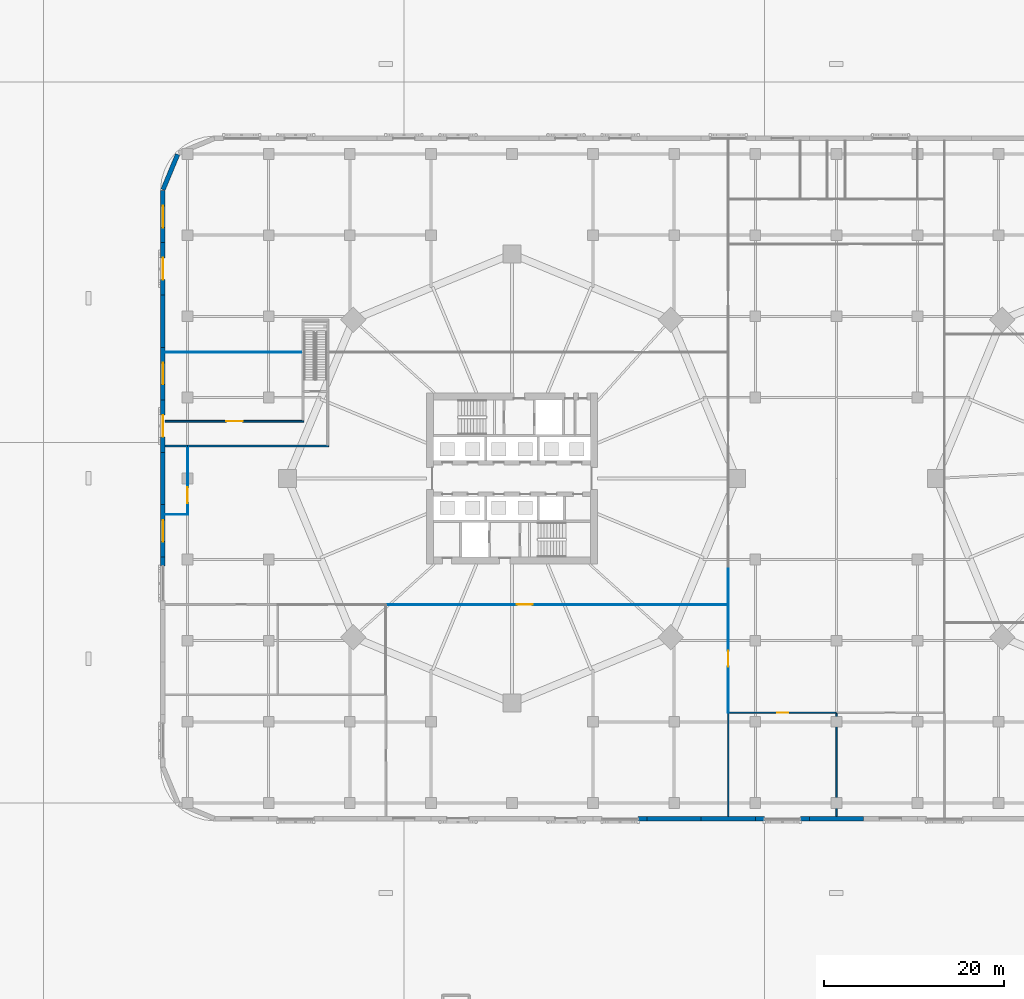
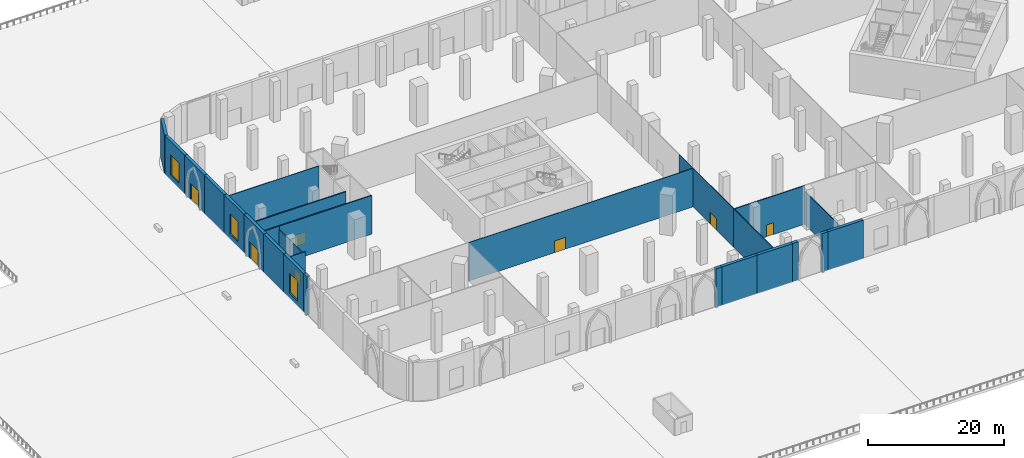
# One storey, part 23 of 48: 27 walls, 7 doors, 3 windows, 10 openings.
"""IFC4 building model written with IfcOpenShell, lengths in metres."""

from ifc_helpers import new_model, si_unit, direction, frame, frame_2d, origin, place, context, subcontext, project, spatial, rectangle, extrude, material, layer, layer_set, type_object, element, fill, save


model = new_model("IFC4")

# Units and contexts
model_context = context("Model", 3, precision=1e-05, world=origin(), true_north=direction((0.0, 1.0)))
body_context = subcontext(model_context, "Body", "Model", "MODEL_VIEW")
ifc_project = project(units=[si_unit("LENGTHUNIT", "METRE"), si_unit("AREAUNIT", "SQUARE_METRE"), si_unit("VOLUMEUNIT", "CUBIC_METRE"), si_unit("PLANEANGLEUNIT", "RADIAN"), si_unit("MASSUNIT", "GRAM", prefix="KILO")], contexts=[model_context])

# Site, building, storey
site_placement = place(None, origin())
site = spatial("IfcSite", under=ifc_project, at=site_placement, CompositionType="ELEMENT")
building_placement = place(site_placement, origin())
building = spatial("IfcBuilding", under=site, at=building_placement, Name="Ogive Gate Towers", CompositionType="ELEMENT")
storey_placement = place(building_placement, origin())
storey = spatial("IfcBuildingStorey", under=building, at=storey_placement, Name="L00", CompositionType="ELEMENT", Elevation=0.0)

# Wall
ifc_material_1 = material(Name="Precast concrete C40/50", Category="concrete")
ifc_layer_1 = layer(ifc_material_1, 0.5)
ifc_layer_set_1 = layer_set([ifc_layer_1], Name="Arcade wall 500")
wall_type_1 = type_object("IfcWallType", Name="Arcade wall 500", PredefinedType="SOLIDWALL", material=ifc_layer_set_1)
wall_1_placement = place(storey_placement, frame((-73.10546875, 35.97021484375, 0.0), z_axis=(0.0, 0.0, 1.0), x_axis=(-0.382680056994, -0.923880930628, 0.0)))
element("IfcWall", 1, at=wall_1_placement, inside=storey, type_object=wall_type_1, Name="Podium wall", PredefinedType="SOLIDWALL", context=body_context, shape_type="SweptSolid", body=[
    extrude(rectangle(XDim=4.24755859375, YDim=0.5, at=frame_2d((2.123779296875, 0.0))), origin(), (0.0, 0.0, 1.0), 6.89990234375),
])

# Wall, opening, window
wall_2_placement = place(storey_placement, frame((-74.75, 31.9501953125, 0.0), z_axis=(0.0, 0.0, 1.0), x_axis=(0.0, -1.0, 0.0)))
wall_2 = element("IfcWall", 2, at=wall_2_placement, inside=storey, type_object=wall_type_1, Name="Podium wall", PredefinedType="SOLIDWALL", context=body_context, shape_type="SweptSolid", body=[
    extrude(rectangle(XDim=5.768310546875, YDim=0.5, at=frame_2d((2.88427734375, 0.0))), origin(), (0.0, 0.0, 1.0), 6.89990234375),
])
opening_1_placement = place(wall_2_placement, frame((1.708984375, 0.0, 0.89990234375)))
opening_1 = element("IfcOpeningElement", 3, at=opening_1_placement, cuts=wall_2, Name="Opening WN4", PredefinedType="OPENING", context=body_context, shape_type="SweptSolid", body=[
    extrude(rectangle(XDim=2.39990234375, YDim=3.60009765625, at=frame_2d((1.199951171875, 1.800048828125))), frame((0.0, 0.260009765625, 0.0), z_axis=(0.0, -1.0, 0.0), x_axis=(1.0, 0.0, 0.0)), (0.0, 0.0, 1.0), 0.52001953125),
])
ifc_material_2 = material(Name="Clear glass", Category="glass")
window_type = type_object("IfcWindowType", Name="Arcade window 2400 x 3600", PartitioningType="SINGLE_PANEL", PredefinedType="WINDOW", material=ifc_material_2)
window_1_placement = place(opening_1_placement, origin())
window_1 = element("IfcWindow", 4, at=window_1_placement, inside=storey, type_object=window_type, Name="Podium window", OverallHeight=3.60009765625, OverallWidth=2.39990234375, PartitioningType="SINGLE_PANEL", PredefinedType="WINDOW", context=body_context, shape_type="SweptSolid", body=[
    extrude(rectangle(XDim=2.39990234375, YDim=3.60009765625, at=frame_2d((1.199951171875, 1.800048828125))), frame((0.0, 0.030029296875, 0.0), z_axis=(0.0, -1.0, 0.0), x_axis=(1.0, 0.0, 0.0)), (0.0, 0.0, 1.0), 0.06005859375),
])
fill(opening_1, window_1)

# Wall, opening, door
wall_3_placement = place(storey_placement, frame((-74.75, 26.181884765625, 0.0), z_axis=(0.0, 0.0, 1.0), x_axis=(0.0, -1.0, 0.0)))
wall_3 = element("IfcWall", 5, at=wall_3_placement, inside=storey, type_object=wall_type_1, Name="Podium wall", PredefinedType="SOLIDWALL", context=body_context, shape_type="SweptSolid", body=[
    extrude(rectangle(XDim=5.818359375, YDim=0.5, at=frame_2d((2.9091796875, 0.0))), origin(), (0.0, 0.0, 1.0), 6.89990234375),
])
opening_2_placement = place(wall_3_placement, frame((1.708984375, 0.0, 0.0)))
opening_2 = element("IfcOpeningElement", 6, at=opening_2_placement, cuts=wall_3, Name="Opening ED2-L00-12", PredefinedType="OPENING", context=body_context, shape_type="SweptSolid", body=[
    extrude(rectangle(XDim=2.39990234375, YDim=3.0, at=frame_2d((1.199951171875, 1.5))), frame((0.0, 0.260009765625, 0.0), z_axis=(0.0, -1.0, 0.0), x_axis=(1.0, 0.0, 0.0)), (0.0, 0.0, 1.0), 0.52001953125),
])
ifc_material_3 = material(Name="Pale metal aluminium", Category="aluminium")
door_type_1 = type_object("IfcDoorType", Name="Entrance door 2400 x 3000", OperationType="DOUBLE_DOOR_SINGLE_SWING", PredefinedType="DOOR", material=ifc_material_3)
door_1_placement = place(opening_2_placement, origin())
door_1 = element("IfcDoor", 7, at=door_1_placement, inside=storey, type_object=door_type_1, Name="Exterior door", OperationType="SINGLE_SWING_LEFT", OverallHeight=3.0, OverallWidth=2.39990234375, PredefinedType="DOOR", context=body_context, shape_type="SweptSolid", body=[
    extrude(rectangle(XDim=2.39990234375, YDim=3.0, at=frame_2d((1.199951171875, 1.5))), frame((0.0, 0.02490234375, 0.0), z_axis=(0.0, -1.0, 0.0), x_axis=(1.0, 0.0, 0.0)), (0.0, 0.0, 1.0), 0.050048828125),
])
fill(opening_2, door_1)

# Wall
wall_4_placement = place(storey_placement, frame((-74.75, 20.363525390625, 0.0), z_axis=(0.0, 0.0, 1.0), x_axis=(0.0, -1.0, 0.0)))
element("IfcWall", 8, at=wall_4_placement, inside=storey, type_object=wall_type_1, Name="Podium wall", PredefinedType="SOLIDWALL", context=body_context, shape_type="SweptSolid", body=[
    extrude(rectangle(XDim=5.818115234375, YDim=0.5, at=frame_2d((2.9091796875, 0.0))), origin(), (0.0, 0.0, 1.0), 6.89990234375),
])

# Wall, opening, window
wall_5_placement = place(storey_placement, frame((-74.75, 14.54541015625, 0.0), z_axis=(0.0, 0.0, 1.0), x_axis=(0.0, -1.0, 0.0)))
wall_5 = element("IfcWall", 9, at=wall_5_placement, inside=storey, type_object=wall_type_1, Name="Podium wall", PredefinedType="SOLIDWALL", context=body_context, shape_type="SweptSolid", body=[
    extrude(rectangle(XDim=5.818115234375, YDim=0.5, at=frame_2d((2.9091796875, 0.0))), origin(), (0.0, 0.0, 1.0), 6.89990234375),
])
opening_3_placement = place(wall_5_placement, frame((1.708984375, 0.0, 0.89990234375)))
opening_3 = element("IfcOpeningElement", 10, at=opening_3_placement, cuts=wall_5, Name="Opening WN4", PredefinedType="OPENING", context=body_context, shape_type="SweptSolid", body=[
    extrude(rectangle(XDim=2.39990234375, YDim=3.60009765625, at=frame_2d((1.199951171875, 1.800048828125))), frame((0.0, 0.260009765625, 0.0), z_axis=(0.0, -1.0, 0.0), x_axis=(1.0, 0.0, 0.0)), (0.0, 0.0, 1.0), 0.52001953125),
])
window_2_placement = place(opening_3_placement, origin())
window_2 = element("IfcWindow", 11, at=window_2_placement, inside=storey, type_object=window_type, Name="Podium window", OverallHeight=3.60009765625, OverallWidth=2.39990234375, PartitioningType="SINGLE_PANEL", PredefinedType="WINDOW", context=body_context, shape_type="SweptSolid", body=[
    extrude(rectangle(XDim=2.39990234375, YDim=3.60009765625, at=frame_2d((1.199951171875, 1.800048828125))), frame((0.0, 0.030029296875, 0.0), z_axis=(0.0, -1.0, 0.0), x_axis=(1.0, 0.0, 0.0)), (0.0, 0.0, 1.0), 0.06005859375),
])
fill(opening_3, window_2)

# Wall, opening, door
wall_6_placement = place(storey_placement, frame((-74.75, 8.727294921875, 0.0), z_axis=(0.0, 0.0, 1.0), x_axis=(0.0, -1.0, 0.0)))
wall_6 = element("IfcWall", 12, at=wall_6_placement, inside=storey, type_object=wall_type_1, Name="Podium wall", PredefinedType="SOLIDWALL", context=body_context, shape_type="SweptSolid", body=[
    extrude(rectangle(XDim=5.818115234375, YDim=0.5, at=frame_2d((2.9091796875, 0.0))), origin(), (0.0, 0.0, 1.0), 6.89990234375),
])
opening_4_placement = place(wall_6_placement, frame((1.708984375, 0.0, 0.0)))
opening_4 = element("IfcOpeningElement", 13, at=opening_4_placement, cuts=wall_6, Name="Opening ED2-L00-13", PredefinedType="OPENING", context=body_context, shape_type="SweptSolid", body=[
    extrude(rectangle(XDim=2.39990234375, YDim=3.0, at=frame_2d((1.199951171875, 1.5))), frame((0.0, 0.260009765625, 0.0), z_axis=(0.0, -1.0, 0.0), x_axis=(1.0, 0.0, 0.0)), (0.0, 0.0, 1.0), 0.52001953125),
])
door_2_placement = place(opening_4_placement, origin())
door_2 = element("IfcDoor", 14, at=door_2_placement, inside=storey, type_object=door_type_1, Name="Exterior door", OperationType="SINGLE_SWING_LEFT", OverallHeight=3.0, OverallWidth=2.39990234375, PredefinedType="DOOR", context=body_context, shape_type="SweptSolid", body=[
    extrude(rectangle(XDim=2.39990234375, YDim=3.0, at=frame_2d((1.199951171875, 1.5))), frame((0.0, 0.02490234375, 0.0), z_axis=(0.0, -1.0, 0.0), x_axis=(1.0, 0.0, 0.0)), (0.0, 0.0, 1.0), 0.050048828125),
])
fill(opening_4, door_2)

# Wall
wall_7_placement = place(storey_placement, frame((-74.75, 2.9091796875, 0.0), z_axis=(0.0, 0.0, 1.0), x_axis=(0.0, -1.0, 0.0)))
element("IfcWall", 15, at=wall_7_placement, inside=storey, type_object=wall_type_1, Name="Podium wall", PredefinedType="SOLIDWALL", context=body_context, shape_type="SweptSolid", body=[
    extrude(rectangle(XDim=5.818359375, YDim=0.5, at=frame_2d((2.9091796875, 0.0))), origin(), (0.0, 0.0, 1.0), 6.89990234375),
])

# Wall, opening, window
wall_8_placement = place(storey_placement, frame((-74.75, -2.9091796875, 0.0), z_axis=(0.0, 0.0, 1.0), x_axis=(0.0, -1.0, 0.0)))
wall_8 = element("IfcWall", 16, at=wall_8_placement, inside=storey, type_object=wall_type_1, Name="Podium wall", PredefinedType="SOLIDWALL", context=body_context, shape_type="SweptSolid", body=[
    extrude(rectangle(XDim=5.818115234375, YDim=0.5, at=frame_2d((2.9091796875, 0.0))), origin(), (0.0, 0.0, 1.0), 6.89990234375),
])
opening_5_placement = place(wall_8_placement, frame((1.708984375, 0.0, 0.89990234375)))
opening_5 = element("IfcOpeningElement", 17, at=opening_5_placement, cuts=wall_8, Name="Opening WN4", PredefinedType="OPENING", context=body_context, shape_type="SweptSolid", body=[
    extrude(rectangle(XDim=2.39990234375, YDim=3.60009765625, at=frame_2d((1.199951171875, 1.800048828125))), frame((0.0, 0.260009765625, 0.0), z_axis=(0.0, -1.0, 0.0), x_axis=(1.0, 0.0, 0.0)), (0.0, 0.0, 1.0), 0.52001953125),
])
window_3_placement = place(opening_5_placement, origin())
window_3 = element("IfcWindow", 18, at=window_3_placement, inside=storey, type_object=window_type, Name="Podium window", OverallHeight=3.60009765625, OverallWidth=2.39990234375, PartitioningType="SINGLE_PANEL", PredefinedType="WINDOW", context=body_context, shape_type="SweptSolid", body=[
    extrude(rectangle(XDim=2.39990234375, YDim=3.60009765625, at=frame_2d((1.199951171875, 1.800048828125))), frame((0.0, 0.030029296875, 0.0), z_axis=(0.0, -1.0, 0.0), x_axis=(1.0, 0.0, 0.0)), (0.0, 0.0, 1.0), 0.06005859375),
])
fill(opening_5, window_3)

# Walls
for number, where, z_axis, x_axis, name in (
    (19, (-74.75, -8.727294921875, 0.0), (0.0, 0.0, 1.0), (0.0, -1.0, 0.0), "Podium wall"),
    (20, (-22.0, -37.75, 0.0), (0.0, 0.0, 1.0), (1.0, 0.0, 0.0), "Podium wall"),
):
    element("IfcWall", number, at=place(storey_placement, frame(where, z_axis=z_axis, x_axis=x_axis)), inside=storey, type_object=wall_type_1, Name=name, PredefinedType="SOLIDWALL", context=body_context, shape_type="SweptSolid", body=[
        extrude(rectangle(XDim=1.0, YDim=0.5, at=frame_2d((0.5, 0.0))), origin(), (0.0, 0.0, 1.0), 6.89990234375),
    ])
for number, where, z_axis, x_axis, name in (
    (21, (-21.0, -37.75, 0.0), (0.0, 0.0, 1.0), (1.0, 0.0, 0.0), "Podium wall"),
    (22, (-15.0, -37.75, 0.0), (0.0, 0.0, 1.0), (1.0, 0.0, 0.0), "Podium wall"),
):
    element("IfcWall", number, at=place(storey_placement, frame(where, z_axis=z_axis, x_axis=x_axis)), inside=storey, type_object=wall_type_1, Name=name, PredefinedType="SOLIDWALL", context=body_context, shape_type="SweptSolid", body=[
        extrude(rectangle(XDim=6.0, YDim=0.5, at=frame_2d((3.0, 0.0))), origin(), (0.0, 0.0, 1.0), 6.89990234375),
    ])
for number, where, z_axis, x_axis, name in (
    (23, (-9.0, -37.75, 0.0), (0.0, 0.0, 1.0), (1.0, 0.0, 0.0), "Podium wall"),
    (24, (-4.0, -37.75, 0.0), (0.0, 0.0, 1.0), (1.0, 0.0, 0.0), "Podium wall"),
):
    element("IfcWall", number, at=place(storey_placement, frame(where, z_axis=z_axis, x_axis=x_axis)), inside=storey, type_object=wall_type_1, Name=name, PredefinedType="SOLIDWALL", context=body_context, shape_type="SweptSolid", body=[
        extrude(rectangle(XDim=1.0, YDim=0.5, at=frame_2d((0.5, 0.0))), origin(), (0.0, 0.0, 1.0), 6.89990234375),
    ])
wall_9_placement = place(storey_placement, frame((-3.0, -37.75, 0.0), z_axis=(0.0, 0.0, 1.0), x_axis=(1.0, 0.0, 0.0)))
element("IfcWall", 25, at=wall_9_placement, inside=storey, type_object=wall_type_1, Name="Podium wall", PredefinedType="SOLIDWALL", context=body_context, shape_type="SweptSolid", body=[
    extrude(rectangle(XDim=6.0, YDim=0.5, at=frame_2d((3.0, 0.0))), origin(), (0.0, 0.0, 1.0), 6.89990234375),
])

# Wall, opening, door
ifc_material_4 = material(Name="Gypsum board partition")
ifc_layer_2 = layer(ifc_material_4, 0.10009765625)
ifc_layer_set_2 = layer_set([ifc_layer_2], Name="Partition wall 100")
wall_type_2 = type_object("IfcWallType", Name="Partition wall 100", PredefinedType="PARTITIONING", material=ifc_layer_set_2)
wall_10_placement = place(storey_placement, frame((-12.0, -26.0, 0.0), z_axis=(0.0, 0.0, 1.0), x_axis=(0.0, 1.0, 0.0)))
wall_10 = element("IfcWall", 26, at=wall_10_placement, inside=storey, type_object=wall_type_2, Name="L00 partition 028", PredefinedType="PARTITIONING", context=body_context, shape_type="SweptSolid", body=[
    extrude(rectangle(XDim=12.0, YDim=0.10009765625, at=frame_2d((6.0, 0.0))), origin(), (0.0, 0.0, 1.0), 6.89990234375),
])
opening_6_placement = place(wall_10_placement, frame((5.10009765625, 0.0, 0.0)))
opening_6 = element("IfcOpeningElement", 27, at=opening_6_placement, cuts=wall_10, Name="Opening PO107", PredefinedType="OPENING", context=body_context, shape_type="SweptSolid", body=[
    extrude(rectangle(XDim=1.800048828125, YDim=2.10009765625, at=frame_2d((0.89990234375, 1.050048828125))), frame((0.0, 0.06005859375, 0.0), z_axis=(0.0, -1.0, 0.0), x_axis=(1.0, 0.0, 0.0)), (0.0, 0.0, 1.0), 0.1201171875),
])
ifc_material_5 = material(Name="Timber door", Category="wood")
door_type_2 = type_object("IfcDoorType", Name="Double door 1800 x 2100", OperationType="NOTDEFINED", PredefinedType="DOOR", material=ifc_material_5)
door_3_placement = place(opening_6_placement, origin())
door_3 = element("IfcDoor", 28, at=door_3_placement, inside=storey, type_object=door_type_2, Name="Door PO107", OperationType="DOUBLE_DOOR_DOUBLE_SWING", OverallHeight=2.10009765625, OverallWidth=1.800048828125, PredefinedType="DOOR", context=body_context, shape_type="SweptSolid", body=[
    extrude(rectangle(XDim=1.800048828125, YDim=2.10009765625, at=frame_2d((0.89990234375, 1.050048828125))), frame((0.0, 0.02490234375, 0.0), z_axis=(0.0, -1.0, 0.0), x_axis=(1.0, 0.0, 0.0)), (0.0, 0.0, 1.0), 0.050048828125),
])
fill(opening_6, door_3)

# Walls
wall_11_placement = place(storey_placement, frame((-12.0, -14.0, 0.0), z_axis=(0.0, 0.0, 1.0), x_axis=(0.0, 1.0, 0.0)))
element("IfcWall", 29, at=wall_11_placement, inside=storey, type_object=wall_type_2, Name="L00 partition 029", PredefinedType="PARTITIONING", context=body_context, shape_type="SweptSolid", body=[
    extrude(rectangle(XDim=4.0, YDim=0.10009765625, at=frame_2d((2.0, 0.0))), origin(), (0.0, 0.0, 1.0), 6.89990234375),
])
wall_12_placement = place(storey_placement, frame((-74.5, -4.0, 0.0), z_axis=(0.0, 0.0, 1.0), x_axis=(1.0, 0.0, 0.0)))
element("IfcWall", 30, at=wall_12_placement, inside=storey, type_object=wall_type_2, Name="L00 partition 036", PredefinedType="PARTITIONING", context=body_context, shape_type="SweptSolid", body=[
    extrude(rectangle(XDim=2.550048828125, YDim=0.10009765625, at=frame_2d((1.27490234375, 0.0))), origin(), (0.0, 0.0, 1.0), 6.89990234375),
])

# Wall, opening, door
wall_13_placement = place(storey_placement, frame((-72.0, -3.949951171875, 0.0), z_axis=(0.0, 0.0, 1.0), x_axis=(0.0, 1.0, 0.0)))
wall_13 = element("IfcWall", 31, at=wall_13_placement, inside=storey, type_object=wall_type_2, Name="L00 partition 037", PredefinedType="PARTITIONING", context=body_context, shape_type="SweptSolid", body=[
    extrude(rectangle(XDim=7.449951171875, YDim=0.10009765625, at=frame_2d((3.72509765625, 0.0))), origin(), (0.0, 0.0, 1.0), 6.300048828125),
])
opening_7_placement = place(wall_13_placement, frame((1.18359375, 0.0, 0.0)))
opening_7 = element("IfcOpeningElement", 32, at=opening_7_placement, cuts=wall_13, Name="Opening PO103", PredefinedType="OPENING", context=body_context, shape_type="SweptSolid", body=[
    extrude(rectangle(XDim=1.800048828125, YDim=2.10009765625, at=frame_2d((0.89990234375, 1.050048828125))), frame((0.0, 0.06005859375, 0.0), z_axis=(0.0, -1.0, 0.0), x_axis=(1.0, 0.0, 0.0)), (0.0, 0.0, 1.0), 0.1201171875),
])
door_4_placement = place(opening_7_placement, origin())
door_4 = element("IfcDoor", 33, at=door_4_placement, inside=storey, type_object=door_type_2, Name="Door PO103", OperationType="DOUBLE_DOOR_DOUBLE_SWING", OverallHeight=2.10009765625, OverallWidth=1.800048828125, PredefinedType="DOOR", context=body_context, shape_type="SweptSolid", body=[
    extrude(rectangle(XDim=1.800048828125, YDim=2.10009765625, at=frame_2d((0.89990234375, 1.050048828125))), frame((0.0, 0.02490234375, 0.0), z_axis=(0.0, -1.0, 0.0), x_axis=(1.0, 0.0, 0.0)), (0.0, 0.0, 1.0), 0.050048828125),
])
fill(opening_7, door_4)

wall_14_placement = place(storey_placement, frame((-50.0, -14.0, 0.0), z_axis=(0.0, 0.0, 1.0), x_axis=(1.0, 0.0, 0.0)))
wall_14 = element("IfcWall", 34, at=wall_14_placement, inside=storey, type_object=wall_type_2, Name="L00 partition 045", PredefinedType="PARTITIONING", context=body_context, shape_type="SweptSolid", body=[
    extrude(rectangle(XDim=37.949951171875, YDim=0.10009765625, at=frame_2d((18.97509765625, 0.0))), origin(), (0.0, 0.0, 1.0), 6.89990234375),
])
opening_8_placement = place(wall_14_placement, frame((14.52001953125, 0.0, 0.0)))
opening_8 = element("IfcOpeningElement", 35, at=opening_8_placement, cuts=wall_14, Name="Opening PO108", PredefinedType="OPENING", context=body_context, shape_type="SweptSolid", body=[
    extrude(rectangle(XDim=1.800048828125, YDim=2.10009765625, at=frame_2d((0.89990234375, 1.050048828125))), frame((0.0, 0.06005859375, 0.0), z_axis=(0.0, -1.0, 0.0), x_axis=(1.0, 0.0, 0.0)), (0.0, 0.0, 1.0), 0.1201171875),
])
door_5_placement = place(opening_8_placement, origin())
door_5 = element("IfcDoor", 36, at=door_5_placement, inside=storey, type_object=door_type_2, Name="Door PO108", OperationType="DOUBLE_DOOR_DOUBLE_SWING", OverallHeight=2.10009765625, OverallWidth=1.800048828125, PredefinedType="DOOR", context=body_context, shape_type="SweptSolid", body=[
    extrude(rectangle(XDim=1.800048828125, YDim=2.10009765625, at=frame_2d((0.89990234375, 1.050048828125))), frame((0.0, 0.02490234375, 0.0), z_axis=(0.0, -1.0, 0.0), x_axis=(1.0, 0.0, 0.0)), (0.0, 0.0, 1.0), 0.050048828125),
])
fill(opening_8, door_5)

# Wall
wall_15_placement = place(storey_placement, frame((-74.5, 14.0, 0.0), z_axis=(0.0, 0.0, 1.0), x_axis=(1.0, 0.0, 0.0)))
element("IfcWall", 37, at=wall_15_placement, inside=storey, type_object=wall_type_2, Name="L00 partition 050", PredefinedType="PARTITIONING", context=body_context, shape_type="SweptSolid", body=[
    extrude(rectangle(XDim=15.199951171875, YDim=0.10009765625, at=frame_2d((7.60009765625, 0.0))), origin(), (0.0, 0.0, 1.0), 6.89990234375),
])

# Wall, opening, door
ifc_material_6 = material(Name="Fire-rated gypsum board partition")
ifc_layer_3 = layer(ifc_material_6, 0.14990234375)
ifc_layer_set_3 = layer_set([ifc_layer_3], Name="Partition wall 150")
wall_type_3 = type_object("IfcWallType", Name="Partition wall 150", PredefinedType="PARTITIONING", material=ifc_layer_set_3)
wall_16_placement = place(storey_placement, frame((-11.925048828125, -26.0, 0.0), z_axis=(0.0, 0.0, 1.0), x_axis=(1.0, 0.0, 0.0)))
wall_16 = element("IfcWall", 38, at=wall_16_placement, inside=storey, type_object=wall_type_3, Name="L00 partition 032", PredefinedType="PARTITIONING", context=body_context, shape_type="SweptSolid", body=[
    extrude(rectangle(XDim=11.925048828125, YDim=0.14990234375, at=frame_2d((5.96240234375, 0.0))), origin(), (0.0, 0.0, 1.0), 6.89990234375),
])
opening_9_placement = place(wall_16_placement, frame((5.362548828125, 0.0, 0.0)))
opening_9 = element("IfcOpeningElement", 39, at=opening_9_placement, cuts=wall_16, Name="Opening PO128", PredefinedType="OPENING", context=body_context, shape_type="SweptSolid", body=[
    extrude(rectangle(XDim=1.199951171875, YDim=2.10009765625, at=frame_2d((0.60009765625, 1.050048828125))), frame((0.0, 0.0849609375, 0.0), z_axis=(0.0, -1.0, 0.0), x_axis=(1.0, 0.0, 0.0)), (0.0, 0.0, 1.0), 0.169921875),
])
ifc_material_7 = material(Name="Steel fire door", Category="steel")
door_type_3 = type_object("IfcDoorType", Name="Interior fire door FD120S 1200 x 2100", OperationType="NOTDEFINED", PredefinedType="DOOR", material=ifc_material_7)
door_6_placement = place(opening_9_placement, origin())
door_6 = element("IfcDoor", 40, at=door_6_placement, inside=storey, type_object=door_type_3, Name="Door PO128", OperationType="SINGLE_SWING_RIGHT", OverallHeight=2.10009765625, OverallWidth=1.199951171875, PredefinedType="DOOR", context=body_context, shape_type="SweptSolid", body=[
    extrude(rectangle(XDim=1.199951171875, YDim=2.10009765625, at=frame_2d((0.60009765625, 1.050048828125))), frame((0.0, 0.02490234375, 0.0), z_axis=(0.0, -1.0, 0.0), x_axis=(1.0, 0.0, 0.0)), (0.0, 0.0, 1.0), 0.050048828125),
])
fill(opening_9, door_6)

# Walls
wall_17_placement = place(storey_placement, frame((-12.0, -37.5, 0.0), z_axis=(0.0, 0.0, 1.0), x_axis=(0.0, 1.0, 0.0)))
element("IfcWall", 41, at=wall_17_placement, inside=storey, type_object=wall_type_3, Name="L00 partition 046", PredefinedType="PARTITIONING", context=body_context, shape_type="SweptSolid", body=[
    extrude(rectangle(XDim=11.5, YDim=0.14990234375, at=frame_2d((5.75, 0.0))), origin(), (0.0, 0.0, 1.0), 6.89990234375),
])
wall_18_placement = place(storey_placement, frame((0.0, -37.5, 0.0), z_axis=(0.0, 0.0, 1.0), x_axis=(0.0, 1.0, 0.0)))
element("IfcWall", 42, at=wall_18_placement, inside=storey, type_object=wall_type_3, Name="L00 partition 074", PredefinedType="PARTITIONING", context=body_context, shape_type="SweptSolid", body=[
    extrude(rectangle(XDim=11.425048828125, YDim=0.14990234375, at=frame_2d((5.71240234375, 0.0))), origin(), (0.0, 0.0, 1.0), 5.909912109375),
])
ifc_material_8 = material(Name="Masonry block wall", Category="masonry")
ifc_layer_4 = layer(ifc_material_8, 0.199951171875)
ifc_layer_set_4 = layer_set([ifc_layer_4], Name="Partition wall 200")
wall_type_4 = type_object("IfcWallType", Name="Partition wall 200", PredefinedType="PARTITIONING", material=ifc_layer_set_4)
wall_19_placement = place(storey_placement, frame((-74.5, 3.60009765625, 0.0), z_axis=(0.0, 0.0, 1.0), x_axis=(1.0, 0.0, 0.0)))
element("IfcWall", 43, at=wall_19_placement, inside=storey, type_object=wall_type_4, Name="L00 partition 013", PredefinedType="PARTITIONING", context=body_context, shape_type="SweptSolid", body=[
    extrude(rectangle(XDim=2.5, YDim=0.199951171875, at=frame_2d((1.25, 0.0))), origin(), (0.0, 0.0, 1.0), 6.89990234375),
])
wall_20_placement = place(storey_placement, frame((-72.0, 3.60009765625, 0.0), z_axis=(0.0, 0.0, 1.0), x_axis=(1.0, 0.0, 0.0)))
element("IfcWall", 44, at=wall_20_placement, inside=storey, type_object=wall_type_4, Name="L00 partition 014", PredefinedType="PARTITIONING", context=body_context, shape_type="SweptSolid", body=[
    extrude(rectangle(XDim=15.64990234375, YDim=0.199951171875, at=frame_2d((7.824951171875, 0.0))), origin(), (0.0, 0.0, 1.0), 6.89990234375),
])

# Wall, opening, door
wall_21_placement = place(storey_placement, frame((-74.5, 6.35009765625, 0.0), z_axis=(0.0, 0.0, 1.0), x_axis=(1.0, 0.0, 0.0)))
wall_21 = element("IfcWall", 45, at=wall_21_placement, inside=storey, type_object=wall_type_4, Name="L00 partition 016", PredefinedType="PARTITIONING", context=body_context, shape_type="SweptSolid", body=[
    extrude(rectangle(XDim=15.39990234375, YDim=0.199951171875, at=frame_2d((7.699951171875, 0.0))), origin(), (0.0, 0.0, 1.0), 6.89990234375),
])
opening_10_placement = place(wall_21_placement, frame((6.800048828125, 0.0, 0.0)))
opening_10 = element("IfcOpeningElement", 46, at=opening_10_placement, cuts=wall_21, Name="Opening PO130", PredefinedType="OPENING", context=body_context, shape_type="SweptSolid", body=[
    extrude(rectangle(XDim=1.800048828125, YDim=2.10009765625, at=frame_2d((0.89990234375, 1.050048828125))), frame((0.0, 0.10986328125, 0.0), z_axis=(0.0, -1.0, 0.0), x_axis=(1.0, 0.0, 0.0)), (0.0, 0.0, 1.0), 0.219970703125),
])
door_type_4 = type_object("IfcDoorType", Name="Interior fire double door FD120S 1800 x 2100", OperationType="NOTDEFINED", PredefinedType="DOOR", material=ifc_material_7)
door_7_placement = place(opening_10_placement, origin())
door_7 = element("IfcDoor", 47, at=door_7_placement, inside=storey, type_object=door_type_4, Name="Door PO130", OperationType="DOUBLE_DOOR_DOUBLE_SWING", OverallHeight=2.10009765625, OverallWidth=1.800048828125, PredefinedType="DOOR", context=body_context, shape_type="SweptSolid", body=[
    extrude(rectangle(XDim=1.800048828125, YDim=2.10009765625, at=frame_2d((0.89990234375, 1.050048828125))), frame((0.0, 0.02490234375, 0.0), z_axis=(0.0, -1.0, 0.0), x_axis=(1.0, 0.0, 0.0)), (0.0, 0.0, 1.0), 0.050048828125),
])
fill(opening_10, door_7)

save(model, "model.ifc")
